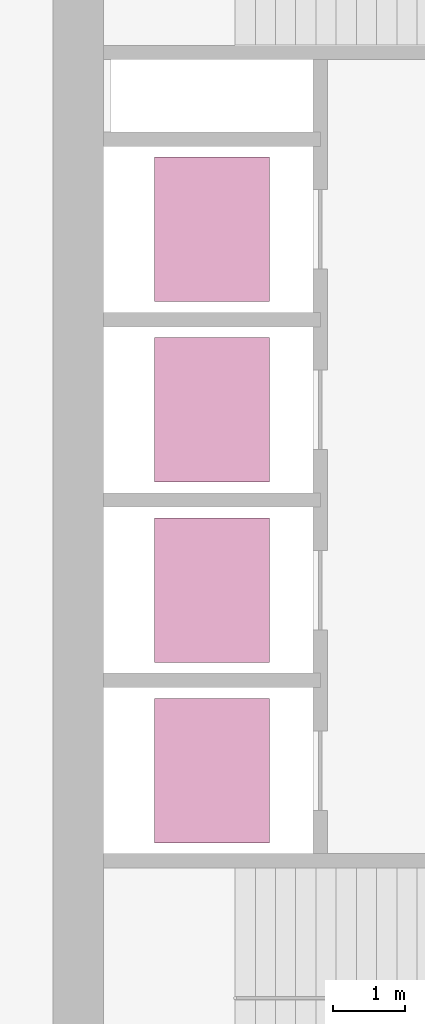
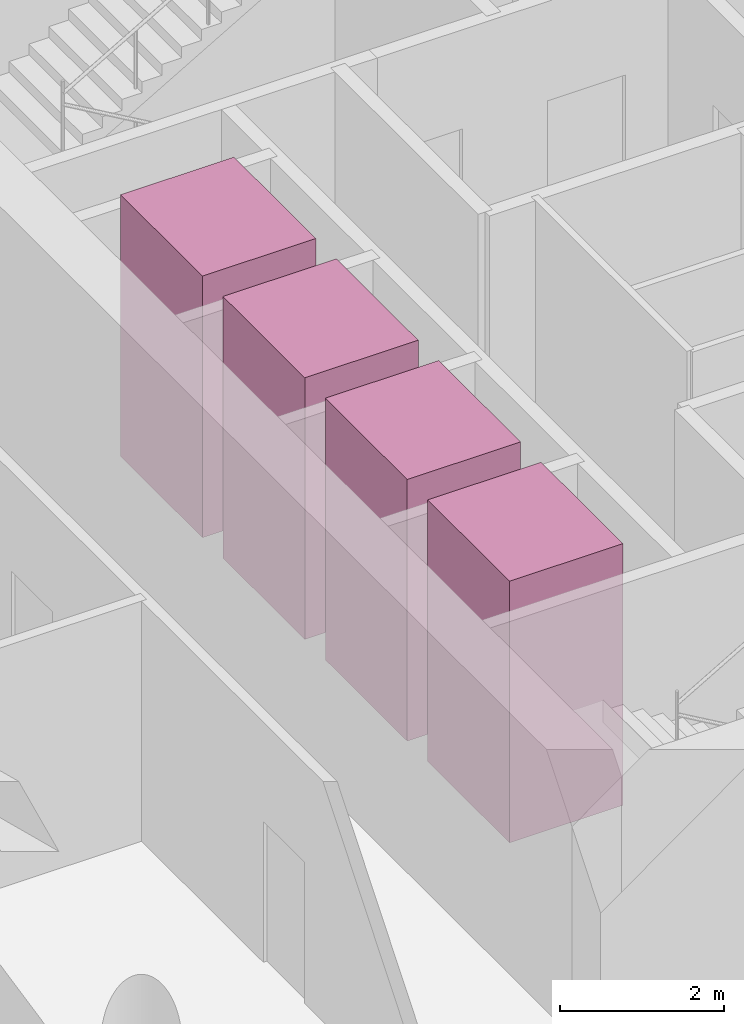
# One storey, part 10 of 10: 4 transport elements.
"""IFC4 building model written with IfcOpenShell, lengths in metres."""

from ifc_helpers import new_model, si_unit, direction, frame, origin, origin_2d, place, context, subcontext, project, spatial, rectangle, extrude, material, type_object, element, save


model = new_model("IFC4")

# Units and contexts
model_context = context("Model", 3, precision=1e-05, world=origin(), true_north=direction((0.0, 1.0)))
body_context = subcontext(model_context, "Body", "Model", "MODEL_VIEW")
ifc_project = project(units=[si_unit("LENGTHUNIT", "METRE"), si_unit("AREAUNIT", "SQUARE_METRE"), si_unit("VOLUMEUNIT", "CUBIC_METRE"), si_unit("PLANEANGLEUNIT", "RADIAN"), si_unit("MASSUNIT", "GRAM", prefix="KILO")], contexts=[model_context])

# Site, building, storey
site_placement = place(None, origin())
site = spatial("IfcSite", under=ifc_project, at=site_placement, CompositionType="ELEMENT")
building_placement = place(site_placement, origin())
building = spatial("IfcBuilding", under=site, at=building_placement, Name="Qaws Garden Tower", CompositionType="ELEMENT")
storey_placement = place(building_placement, frame((0.0, 0.0, 205.800048828125)))
storey = spatial("IfcBuildingStorey", under=building, at=storey_placement, Name="L50", CompositionType="ELEMENT", Elevation=205.800048828125)

# Transport elements
ifc_material = material(Name="Stainless steel 316", Category="steel")
transport_element_type = type_object("IfcTransportElementType", Name="Passenger lift car 2000x1600 1800 kg", PredefinedType="ELEVATOR", material=ifc_material)
for number, where, z_axis, x_axis, name in (
    (1, (10.199951171875, 13.64990234375, 0.0), (0.0, 0.0, 1.0), (1.0, 0.0, 0.0), "MR1"),
    (2, (10.199951171875, 16.14990234375, 0.0), (0.0, 0.0, 1.0), (1.0, 0.0, 0.0), "MR2"),
    (3, (10.199951171875, 18.64990234375, 0.0), (0.0, 0.0, 1.0), (1.0, 0.0, 0.0), "MR3"),
    (4, (10.199951171875, 21.14990234375, 0.0), (0.0, 0.0, 1.0), (1.0, 0.0, 0.0), "MR4"),
):
    element("IfcTransportElement", number, at=place(storey_placement, frame(where, z_axis=z_axis, x_axis=x_axis)), inside=storey, type_object=transport_element_type, Name=name, PredefinedType="ELEVATOR", context=body_context, shape_type="SweptSolid", body=[
        extrude(rectangle(XDim=1.60009765625, YDim=2.0, at=origin_2d()), origin(), (0.0, 0.0, 1.0), 3.89990234375),
    ])

save(model, "model.ifc")
